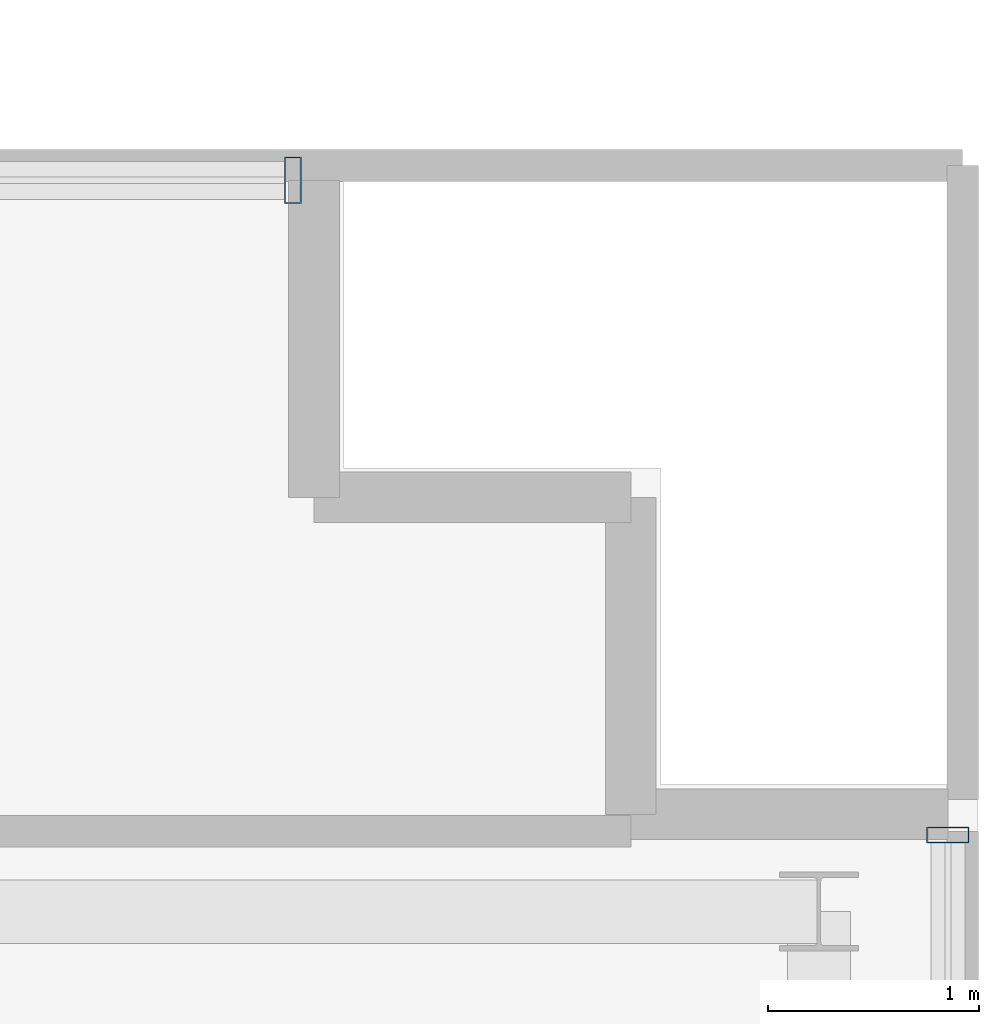
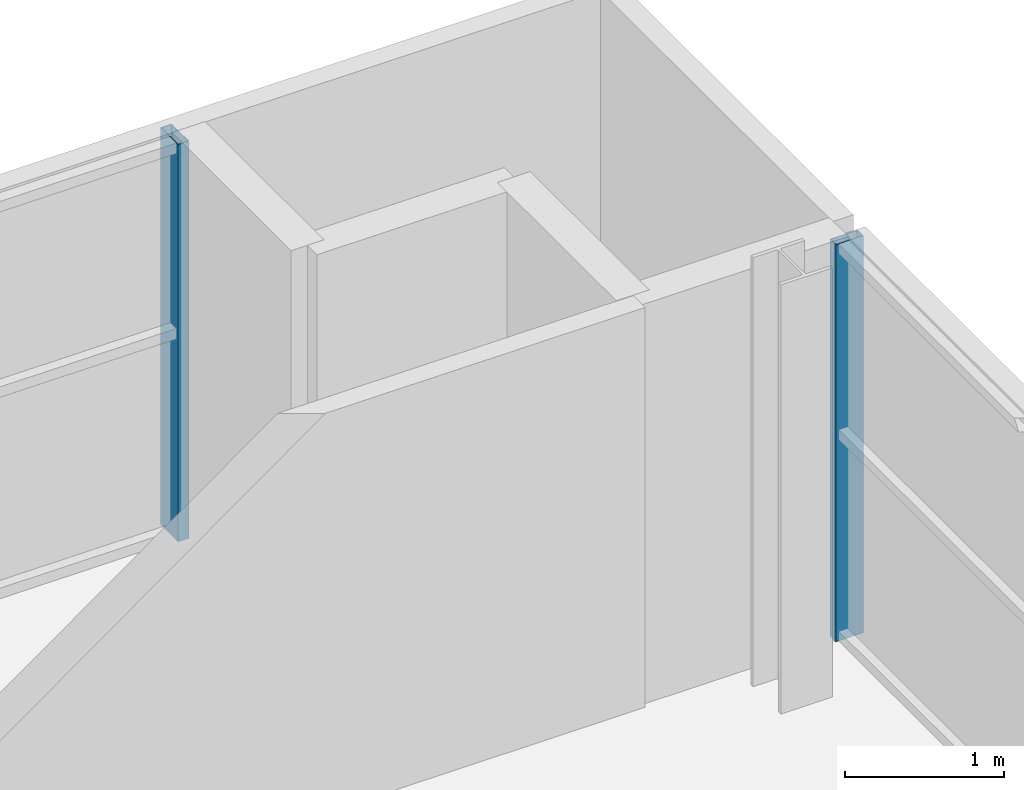
# One storey, part 14 of 24: 2 members, 2 elements without a shape of their own.
"""IFC4 building model written with IfcOpenShell, lengths in metres."""

from ifc_helpers import new_model, si_unit, direction, frame, origin, origin_2d, place, context, subcontext, project, spatial, hollow_rectangle, extrude, source, transform, mapped, material, layer, layer_set, material_profile, profile_set, type_object, element, aggregate, save


model = new_model("IFC4")

# Units and contexts
model_context = context("Model", 3, precision=1e-05, world=origin(), true_north=direction((0.0, 1.0)))
body_context = subcontext(model_context, "Body", "Model", "MODEL_VIEW")
ifc_project = project(units=[si_unit("LENGTHUNIT", "METRE"), si_unit("AREAUNIT", "SQUARE_METRE"), si_unit("VOLUMEUNIT", "CUBIC_METRE"), si_unit("PLANEANGLEUNIT", "RADIAN"), si_unit("MASSUNIT", "GRAM", prefix="KILO")], contexts=[model_context])

# Site, building, storey
site_placement = place(None, origin())
site = spatial("IfcSite", under=ifc_project, at=site_placement, CompositionType="ELEMENT")
building_placement = place(site_placement, origin())
building = spatial("IfcBuilding", under=site, at=building_placement, Name="Zarnakvel Exchange Tower", CompositionType="ELEMENT")
storey_placement = place(building_placement, frame((0.0, 0.0, 235.300048828125)))
storey = spatial("IfcBuildingStorey", under=building, at=storey_placement, Name="L66", CompositionType="ELEMENT", Elevation=235.300048828125)

# Curtain wall, member
ifc_material = material(Name="Architectural Bronze Anodised Aluminium", Category="aluminium")
ifc_layer_1 = layer(ifc_material, 0.199951171875)
ifc_layer_set_1 = layer_set([ifc_layer_1], Name="Architectural Bronze Anodised Aluminium")
curtain_wall_type_1 = type_object("IfcCurtainWallType", Name="CW-04", PredefinedType="NOTDEFINED", material=ifc_layer_set_1)
curtain_wall_1_placement = place(storey_placement, origin())
curtain_wall_1 = element("IfcCurtainWall", 1, at=curtain_wall_1_placement, inside=storey, type_object=curtain_wall_type_1, Name="L66 Curtain Wall CW-L66-E1 (CW-04)", PredefinedType="NOTDEFINED")
ifc_material_profile_1 = material_profile(ifc_material, hollow_rectangle(XDim=0.199951171875, YDim=0.074951171875, WallThickness=0.0048828125, at=origin_2d()))
ifc_profile_set_1 = profile_set([ifc_material_profile_1], Name="Architectural Bronze Anodised Aluminium")
member_type_1 = type_object("IfcMemberType", Name="CWM-04", PredefinedType="MULLION", material=ifc_profile_set_1)
shared_shape_1 = source(origin(), body_context, "Body", "SweptSolid", [
    extrude(hollow_rectangle(XDim=0.199951171875, YDim=0.074951171875, WallThickness=0.0048828125, at=origin_2d()), origin(), (0.0, 0.0, 1.0), 3.054931640625),
])
member_1_placement = place(storey_placement, frame((23.4599609375, 13.862548828125, 0.0), z_axis=(0.0, 0.0, 1.0), x_axis=(-1.0, 0.0, 0.0)))
member_1 = element("IfcMember", 2, at=member_1_placement, type_object=member_type_1, Name="CW-04 mullion 5", PredefinedType="MULLION", context=body_context, shape_type="MappedRepresentation", body=[
    mapped(shared_shape_1, transform((0.0, 0.0, 0.0), x_axis=(1.0, 0.0, 0.0), y_axis=(0.0, 1.0, 0.0), z_axis=(0.0, 0.0, 1.0), scale=1.0)),
])
aggregate(curtain_wall_1, [member_1])

ifc_layer_2 = layer(ifc_material, 0.219970703125)
ifc_layer_set_2 = layer_set([ifc_layer_2], Name="Architectural Bronze Anodised Aluminium")
curtain_wall_type_2 = type_object("IfcCurtainWallType", Name="CW-03", PredefinedType="NOTDEFINED", material=ifc_layer_set_2)
curtain_wall_2_placement = place(storey_placement, origin())
curtain_wall_2 = element("IfcCurtainWall", 3, at=curtain_wall_2_placement, inside=storey, type_object=curtain_wall_type_2, Name="L66 Curtain Wall CW-L66-N1 (CW-03)", PredefinedType="NOTDEFINED")
ifc_material_profile_2 = material_profile(ifc_material, hollow_rectangle(XDim=0.219970703125, YDim=0.080078125, WallThickness=0.0048828125, at=origin_2d()))
ifc_profile_set_2 = profile_set([ifc_material_profile_2], Name="Architectural Bronze Anodised Aluminium")
member_type_2 = type_object("IfcMemberType", Name="CWM-03", PredefinedType="MULLION", material=ifc_profile_set_2)
shared_shape_2 = source(origin(), body_context, "Body", "SweptSolid", [
    extrude(hollow_rectangle(XDim=0.219970703125, YDim=0.080078125, WallThickness=0.0048828125, at=origin_2d()), origin(), (0.0, 0.0, 1.0), 3.054931640625),
])
member_2_placement = place(storey_placement, frame((20.360107421875, 16.9599609375, 0.0), z_axis=(0.0, 0.0, 1.0), x_axis=(0.0, 1.0, 0.0)))
member_2 = element("IfcMember", 4, at=member_2_placement, type_object=member_type_2, Name="CW-03 mullion 3", PredefinedType="MULLION", context=body_context, shape_type="MappedRepresentation", body=[
    mapped(shared_shape_2, transform((0.0, 0.0, 0.0), x_axis=(1.0, 0.0, 0.0), y_axis=(0.0, 1.0, 0.0), z_axis=(0.0, 0.0, 1.0), scale=1.0)),
])
aggregate(curtain_wall_2, [member_2])

save(model, "model.ifc")
